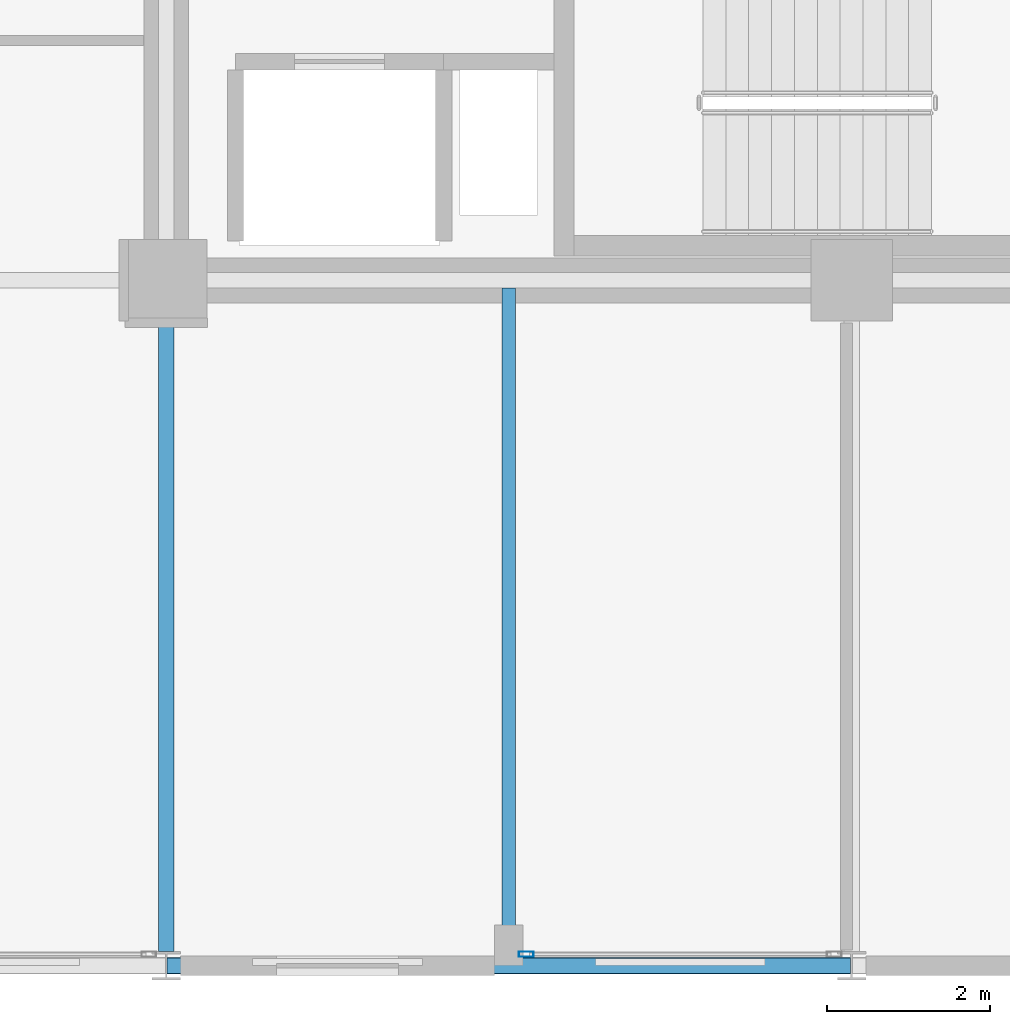
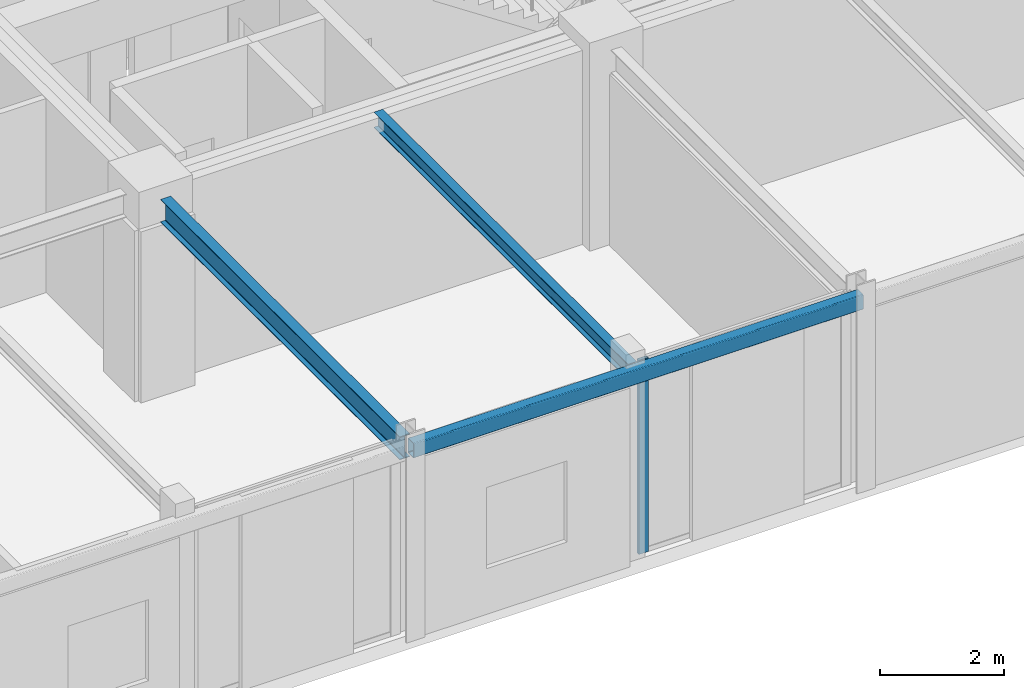
# One storey, part 7 of 29: 3 beams, 1 member, 1 element without a shape of its own.
"""IFC4 building model written with IfcOpenShell, lengths in metres."""

from ifc_helpers import new_model, si_unit, direction, frame, origin, origin_2d, place, context, subcontext, project, spatial, hollow_rectangle, i_section, extrude, material, layer, layer_set, material_profile, profile_set, type_object, element, aggregate, save


model = new_model("IFC4")

# Units and contexts
model_context = context("Model", 3, precision=1e-05, world=origin(), true_north=direction((0.0, 1.0)))
body_context = subcontext(model_context, "Body", "Model", "MODEL_VIEW")
ifc_project = project(units=[si_unit("LENGTHUNIT", "METRE"), si_unit("AREAUNIT", "SQUARE_METRE"), si_unit("VOLUMEUNIT", "CUBIC_METRE"), si_unit("PLANEANGLEUNIT", "RADIAN"), si_unit("MASSUNIT", "GRAM", prefix="KILO")], contexts=[model_context])

# Site, building, storey
site_placement = place(None, origin())
site = spatial("IfcSite", under=ifc_project, at=site_placement, CompositionType="ELEMENT")
building_placement = place(site_placement, origin())
building = spatial("IfcBuilding", under=site, at=building_placement, Name="Nerrivon Quay Data Exchange", CompositionType="ELEMENT")
storey_placement = place(building_placement, frame((0.0, 0.0, 187.800048828125)))
storey = spatial("IfcBuildingStorey", under=building, at=storey_placement, Name="L44", CompositionType="ELEMENT", Elevation=187.800048828125)

# Beams
ifc_material_1 = material(Name="Steel Grade 350", Category="steel")
ifc_material_profile_1 = material_profile(ifc_material_1, i_section(OverallWidth=0.18994140625, OverallDepth=0.4541015625, WebThickness=0.008544921875, FlangeThickness=0.0126953125, FilletRadius=0.011474609375, at=origin_2d()), Name="460UB67.1")
ifc_profile_set_1 = profile_set([ifc_material_profile_1], Name="Steel Grade 350")
beam_type_1 = type_object("IfcBeamType", Name="BM-G6-460UB67", PredefinedType="BEAM", material=ifc_profile_set_1)
beam_1_placement = place(storey_placement, frame((16.800048828125, 0.175048828125, 3.597900390625), z_axis=(0.0, 1.0, 0.0), x_axis=(-1.0, 0.0, 0.0)))
element("IfcBeam", 1, at=beam_1_placement, inside=storey, type_object=beam_type_1, Name="L44 NS Girder X=16.8 (0.0..8.4)", PredefinedType="BEAM", context=body_context, shape_type="SweptSolid", body=[
    extrude(i_section(OverallWidth=0.18994140625, OverallDepth=0.4541015625, WebThickness=0.008544921875, FlangeThickness=0.0126953125, FilletRadius=0.011474609375, at=origin_2d()), origin(), (0.0, 0.0, 1.0), 7.724853515625),
])
ifc_material_profile_2 = material_profile(ifc_material_1, i_section(OverallWidth=0.166015625, OverallDepth=0.306884765625, WebThickness=0.006591796875, FlangeThickness=0.01171875, FilletRadius=0.011474609375, at=origin_2d()), Name="310UB46.2")
ifc_profile_set_2 = profile_set([ifc_material_profile_2], Name="Steel Grade 350")
beam_type_2 = type_object("IfcBeamType", Name="BM-J5-310UB46", PredefinedType="JOIST", material=ifc_profile_set_2)
beam_2_placement = place(storey_placement, frame((21.0, 0.10009765625, 3.67138671875), z_axis=(0.0, 1.0, 0.0), x_axis=(-1.0, 0.0, 0.0)))
element("IfcBeam", 2, at=beam_2_placement, inside=storey, type_object=beam_type_2, Name="L44 Secondary Joist X=21.0 (0.0..8.4)", PredefinedType="JOIST", context=body_context, shape_type="SweptSolid", body=[
    extrude(i_section(OverallWidth=0.166015625, OverallDepth=0.306884765625, WebThickness=0.006591796875, FlangeThickness=0.01171875, FilletRadius=0.011474609375, at=origin_2d()), origin(), (0.0, 0.0, 1.0), 8.204345703125),
])
ifc_material_2 = material(Name="Steel Grade C350L0 (350 MPa)", Category="steel")
ifc_material_profile_3 = material_profile(ifc_material_2, hollow_rectangle(XDim=0.199951171875, YDim=0.300048828125, WallThickness=0.012451171875, InnerFilletRadius=0.018798828125, OuterFilletRadius=0.03125, at=origin_2d()), Name="300x200x12.5RHS")
ifc_profile_set_3 = profile_set([ifc_material_profile_3], Name="Steel Grade C350L0 (350 MPa)")
beam_type_3 = type_object("IfcBeamType", Name="BM-SP3-300x200RHS", PredefinedType="SPANDREL", material=ifc_profile_set_3)
beam_3_placement = place(storey_placement, frame((16.81005859375, 0.0, 3.675048828125), z_axis=(1.0, 0.0, 0.0), x_axis=(0.0, 1.0, 0.0)))
element("IfcBeam", 3, at=beam_3_placement, inside=storey, type_object=beam_type_3, Name="L44 EW Girder Y=0.0 (16.8..25.2)", PredefinedType="SPANDREL", context=body_context, shape_type="SweptSolid", body=[
    extrude(hollow_rectangle(XDim=0.199951171875, YDim=0.300048828125, WallThickness=0.012451171875, InnerFilletRadius=0.018798828125, OuterFilletRadius=0.03125, at=origin_2d()), origin(), (0.0, 0.0, 1.0), 8.3798828125),
])

# Curtain wall, member
ifc_material_3 = material(Name="Anodised aluminium 6063-T6", Category="aluminium")
ifc_layer = layer(ifc_material_3, 0.195068359375)
ifc_layer_set = layer_set([ifc_layer], Name="Anodised aluminium 6063-T6")
curtain_wall_type = type_object("IfcCurtainWallType", Name="CW-SYS-06", PredefinedType="NOTDEFINED", material=ifc_layer_set)
curtain_wall_placement = place(storey_placement, origin())
curtain_wall = element("IfcCurtainWall", 4, at=curtain_wall_placement, inside=storey, type_object=curtain_wall_type, Name="L44 Unitised Curtain Wall 24", PredefinedType="NOTDEFINED")
ifc_material_profile_4 = material_profile(ifc_material_3, hollow_rectangle(XDim=0.06494140625, YDim=0.179931640625, WallThickness=0.00341796875, at=origin_2d()), Name="ALU-MULL-180x65")
ifc_profile_set_4 = profile_set([ifc_material_profile_4], Name="Anodised aluminium 6063-T6")
member_type = type_object("IfcMemberType", Name="CWM-180x65", PredefinedType="MULLION", material=ifc_profile_set_4)
member_placement = place(storey_placement, frame((21.21240234375, 0.139892578125, 0.0), z_axis=(0.0, 0.0, 1.0), x_axis=(0.0, -1.0, 0.0)))
member = element("IfcMember", 5, at=member_placement, type_object=member_type, Name="CW06 mullion 2", PredefinedType="MULLION", context=body_context, shape_type="SweptSolid", body=[
    extrude(hollow_rectangle(XDim=0.06494140625, YDim=0.179931640625, WallThickness=0.00341796875, at=origin_2d()), origin(), (0.0, 0.0, 1.0), 3.824951171875),
])
aggregate(curtain_wall, [member])

save(model, "model.ifc")
